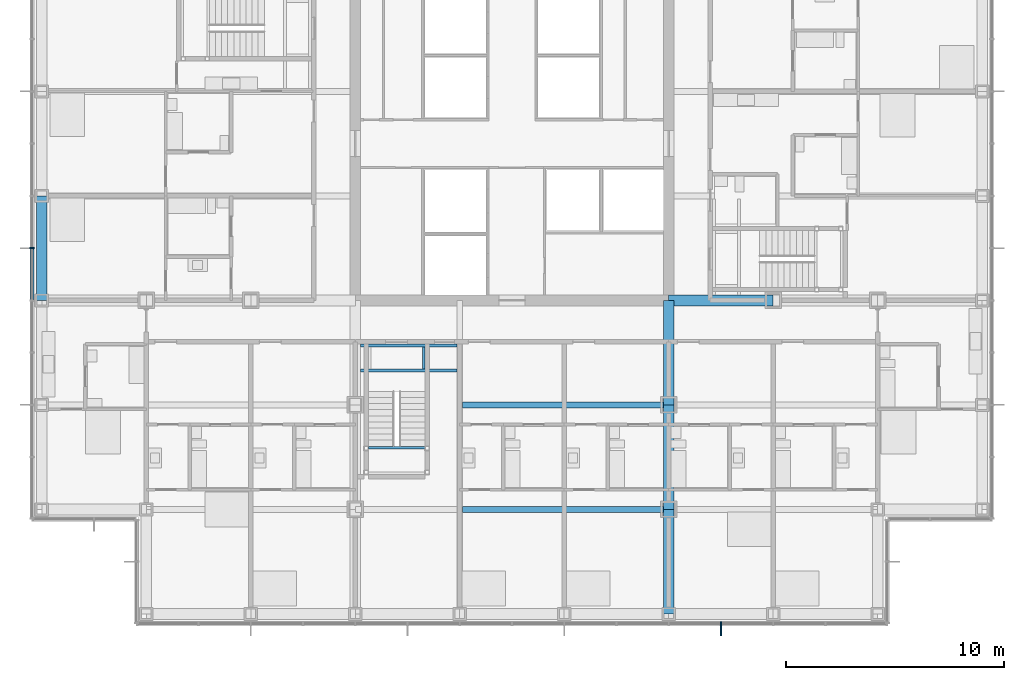
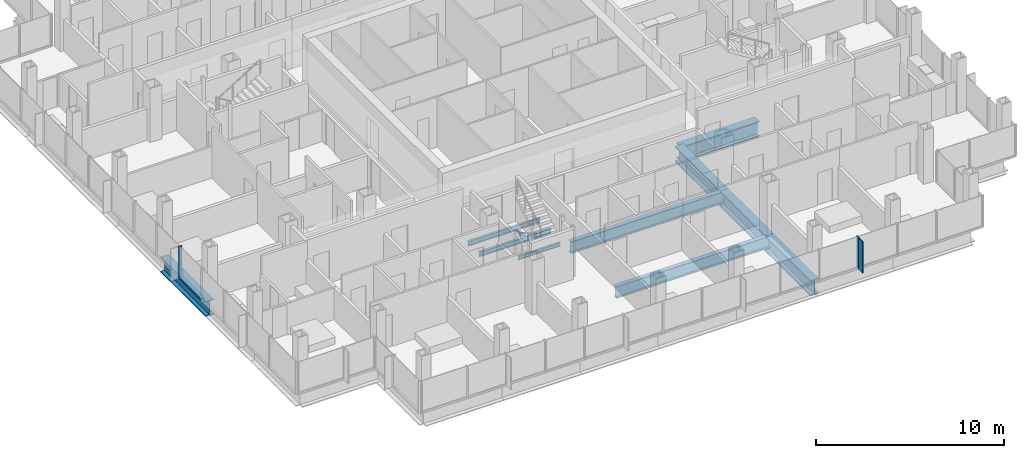
# One storey, part 7 of 22: 11 beams, 4 members, 2 elements without a shape of their own.
"""IFC4 building model written with IfcOpenShell, lengths in metres."""

from ifc_helpers import new_model, si_unit, direction, frame, origin, origin_2d, place, context, subcontext, project, spatial, rectangle, i_section, extrude, material, material_profile, profile_set, type_object, element, aggregate, save


model = new_model("IFC4")

# Units and contexts
model_context = context("Model", 3, precision=1e-05, world=origin(), true_north=direction((0.0, 1.0)))
body_context = subcontext(model_context, "Body", "Model", "MODEL_VIEW")
ifc_project = project(units=[si_unit("LENGTHUNIT", "METRE"), si_unit("AREAUNIT", "SQUARE_METRE"), si_unit("VOLUMEUNIT", "CUBIC_METRE"), si_unit("PLANEANGLEUNIT", "RADIAN"), si_unit("MASSUNIT", "GRAM", prefix="KILO")], contexts=[model_context])

# Site, building, storey
site_placement = place(None, origin())
site = spatial("IfcSite", under=ifc_project, at=site_placement, CompositionType="ELEMENT")
building_placement = place(site_placement, origin())
building = spatial("IfcBuilding", under=site, at=building_placement, Name="Kvirike Care Tower", CompositionType="ELEMENT")
storey_placement = place(building_placement, frame((0.0, 0.0, 76.0)))
storey = spatial("IfcBuildingStorey", under=building, at=storey_placement, Name="L20", CompositionType="ELEMENT", Elevation=76.0)

# Curtain wall, member
ifc_material_1 = material(Name="Anodised aluminium stick system", Category="aluminium")
curtain_wall_type = type_object("IfcCurtainWallType", Name="CW-A STICK CURTAIN WALL", PredefinedType="NOTDEFINED", material=ifc_material_1)
curtain_wall_1_placement = place(storey_placement, origin())
curtain_wall_1 = element("IfcCurtainWall", 1, at=curtain_wall_1_placement, inside=storey, type_object=curtain_wall_type, Name="Curtain wall L20 face 4", PredefinedType="NOTDEFINED")
ifc_material_2 = material(Name="Bronze anodised aluminium fin", Category="aluminium")
ifc_material_profile_1 = material_profile(ifc_material_2, rectangle(XDim=0.050048828125, YDim=0.449951171875, at=origin_2d()), Name="BRONZE FIN 450")
ifc_profile_set_1 = profile_set([ifc_material_profile_1], Name="Bronze anodised aluminium fin")
member_type_1 = type_object("IfcMemberType", Name="BRONZE FIN 450", PredefinedType="USERDEFINED", material=ifc_profile_set_1)
member_1_placement = place(storey_placement, frame((31.199951171875, 13.625, 0.0), z_axis=(0.0, 0.0, 1.0), x_axis=(1.0, 0.0, 0.0)))
member_1 = element("IfcMember", 2, at=member_1_placement, type_object=member_type_1, Name="Bronze fin L20 face 4.12", ObjectType="FIN", PredefinedType="USERDEFINED", context=body_context, shape_type="SweptSolid", body=[
    extrude(rectangle(XDim=0.050048828125, YDim=0.449951171875, at=origin_2d()), origin(), (0.0, 0.0, 1.0), 2.050048828125),
])

curtain_wall_2_placement = place(storey_placement, origin())
curtain_wall_2 = element("IfcCurtainWall", 3, at=curtain_wall_2_placement, inside=storey, type_object=curtain_wall_type, Name="Curtain wall L20 face 1", PredefinedType="NOTDEFINED")
ifc_material_3 = material(Name="Bronze anodised aluminium mullion", Category="aluminium")
ifc_material_profile_2 = material_profile(ifc_material_3, rectangle(XDim=0.06494140625, YDim=0.199951171875, at=origin_2d()), Name="CW-A MULLION 65x200")
ifc_profile_set_2 = profile_set([ifc_material_profile_2], Name="Bronze anodised aluminium mullion")
member_type_2 = type_object("IfcMemberType", Name="CW-A MULLION 65x200", PredefinedType="MULLION", material=ifc_profile_set_2)
member_2_placement = place(storey_placement, frame((-0.449951171875, 31.199951171875, 0.0), z_axis=(0.0, 0.0, 1.0), x_axis=(0.0, -1.0, 0.0)))
member_2 = element("IfcMember", 4, at=member_2_placement, type_object=member_type_2, Name="CW-A mullion L20 face 1.10", PredefinedType="MULLION", context=body_context, shape_type="SweptSolid", body=[
    extrude(rectangle(XDim=0.06494140625, YDim=0.199951171875, at=origin_2d()), origin(), (0.0, 0.0, 1.0), 2.050048828125),
])

# Member
member_3_placement = place(storey_placement, frame((31.199951171875, 13.949951171875, 0.0), z_axis=(0.0, 0.0, 1.0), x_axis=(1.0, 0.0, 0.0)))
member_3 = element("IfcMember", 5, at=member_3_placement, type_object=member_type_2, Name="CW-A mullion L20 face 4.12", PredefinedType="MULLION", context=body_context, shape_type="SweptSolid", body=[
    extrude(rectangle(XDim=0.06494140625, YDim=0.199951171875, at=origin_2d()), origin(), (0.0, 0.0, 1.0), 2.050048828125),
])

aggregate(curtain_wall_1, [member_3, member_1])

ifc_material_4 = material(Name="Bronze anodised aluminium transom", Category="aluminium")
ifc_material_profile_3 = material_profile(ifc_material_4, rectangle(XDim=0.199951171875, YDim=0.10009765625, at=origin_2d()), Name="CW-A TRANSOM 200x100")
ifc_profile_set_3 = profile_set([ifc_material_profile_3], Name="Bronze anodised aluminium transom")
member_type_3 = type_object("IfcMemberType", Name="CW-A TRANSOM 200x100", PredefinedType="USERDEFINED", material=ifc_profile_set_3)
member_4_placement = place(storey_placement, frame((-0.449951171875, 31.16748046875, 0.050048828125), z_axis=(0.0, -1.0, 0.0), x_axis=(1.0, 0.0, 0.0)))
member_4 = element("IfcMember", 6, at=member_4_placement, type_object=member_type_3, Name="CW-A sill transom L20 face 1.10", ObjectType="TRANSOM", PredefinedType="USERDEFINED", context=body_context, shape_type="SweptSolid", body=[
    extrude(rectangle(XDim=0.199951171875, YDim=0.10009765625, at=origin_2d()), origin(), (0.0, 0.0, 1.0), 2.3349609375),
])

aggregate(curtain_wall_2, [member_2, member_4])

# Beams
ifc_material_5 = material(Name="Steel S355", Category="steel")
ifc_material_profile_4 = material_profile(ifc_material_5, i_section(OverallWidth=0.26806640625, OverallDepth=0.77001953125, WebThickness=0.015625, FlangeThickness=0.025390625, FilletRadius=0.01708984375, at=origin_2d()), Name="IPE 750x196")
ifc_profile_set_4 = profile_set([ifc_material_profile_4], Name="Steel S355")
beam_type_1 = type_object("IfcBeamType", Name="FLOOR BEAM IPE 750x196", PredefinedType="BEAM", material=ifc_profile_set_4)
for number, where, z_axis, x_axis, name in (
    (7, (19.333984375, 19.199951171875, -0.554931640625), (1.0, 0.0, 0.0), (0.0, 1.0, 0.0), "Floor Beam E7-E9 L20"),
    (8, (19.333984375, 24.0, -0.554931640625), (1.0, 0.0, 0.0), (0.0, 1.0, 0.0), "Floor Beam F7-F9 L20"),
):
    element("IfcBeam", number, at=place(storey_placement, frame(where, z_axis=z_axis, x_axis=x_axis)), inside=storey, type_object=beam_type_1, Name=name, PredefinedType="BEAM", context=body_context, shape_type="SweptSolid", body=[
        extrude(i_section(OverallWidth=0.26806640625, OverallDepth=0.77001953125, WebThickness=0.015625, FlangeThickness=0.025390625, FilletRadius=0.01708984375, at=origin_2d()), origin(), (0.0, 0.0, 1.0), 9.466064453125),
    ])
ifc_material_6 = material(Name="Steel S355", Category="steel")
ifc_material_profile_5 = material_profile(ifc_material_6, i_section(OverallWidth=0.5, OverallDepth=1.0, WebThickness=0.030029296875, FlangeThickness=0.06005859375, at=origin_2d()), Name="PG 1000x500x30x60")
ifc_profile_set_5 = profile_set([ifc_material_profile_5], Name="Steel S355")
beam_type_2 = type_object("IfcBeamType", Name="FRAME BEAM PG 1000x500x30x60", PredefinedType="BEAM", material=ifc_profile_set_5)
for number, where, z_axis, x_axis, name in (
    (9, (28.800048828125, 28.800048828125, -0.669921875), (1.0, 0.0, 0.0), (0.0, 1.0, 0.0), "Frame Beam G9-G10 L20"),
    (10, (28.800048828125, 14.39990234375, -0.669921875), (0.0, 1.0, 0.0), (-1.0, 0.0, 0.0), "Frame Beam D9-E9 L20"),
    (11, (28.800048828125, 19.199951171875, -0.669921875), (0.0, 1.0, 0.0), (-1.0, 0.0, 0.0), "Frame Beam E9-F9 L20"),
    (12, (28.800048828125, 24.0, -0.669921875), (0.0, 1.0, 0.0), (-1.0, 0.0, 0.0), "Frame Beam F9-G9 L20"),
):
    element("IfcBeam", number, at=place(storey_placement, frame(where, z_axis=z_axis, x_axis=x_axis)), inside=storey, type_object=beam_type_2, Name=name, PredefinedType="BEAM", context=body_context, shape_type="SweptSolid", body=[
        extrude(i_section(OverallWidth=0.5, OverallDepth=1.0, WebThickness=0.030029296875, FlangeThickness=0.06005859375, at=origin_2d()), origin(), (0.0, 0.0, 1.0), 4.800048828125),
    ])
ifc_material_7 = material(Name="Steel S355", Category="steel")
ifc_material_profile_6 = material_profile(ifc_material_7, i_section(OverallWidth=0.5, OverallDepth=1.0, WebThickness=0.030029296875, FlangeThickness=0.06005859375, at=origin_2d()), Name="PG 1000x500x30x60")
ifc_profile_set_6 = profile_set([ifc_material_profile_6], Name="Steel S355")
beam_type_3 = type_object("IfcBeamType", Name="SPANDREL PG 1000x500x30x60", PredefinedType="SPANDREL", material=ifc_profile_set_6)
beam_1_placement = place(storey_placement, frame((0.0, 28.800048828125, -0.669921875), z_axis=(0.0, 1.0, 0.0), x_axis=(-1.0, 0.0, 0.0)))
element("IfcBeam", 13, at=beam_1_placement, inside=storey, type_object=beam_type_3, Name="Spandrel G3-H3 L20", PredefinedType="SPANDREL", context=body_context, shape_type="SweptSolid", body=[
    extrude(i_section(OverallWidth=0.5, OverallDepth=1.0, WebThickness=0.030029296875, FlangeThickness=0.06005859375, at=origin_2d()), origin(), (0.0, 0.0, 1.0), 4.800048828125),
])
ifc_material_8 = material(Name="Steel S355", Category="steel")
ifc_material_profile_7 = material_profile(ifc_material_8, i_section(OverallWidth=0.1201171875, OverallDepth=0.239990234375, WebThickness=0.006103515625, FlangeThickness=0.009765625, FilletRadius=0.014892578125, at=origin_2d()), Name="IPE 240")
ifc_profile_set_7 = profile_set([ifc_material_profile_7], Name="Steel S355")
beam_type_4 = type_object("IfcBeamType", Name="STAIR LANDING BEAM IPE 240", PredefinedType="BEAM", material=ifc_profile_set_7)
beam_2_placement = place(storey_placement, frame((15.0, 22.0400390625, 1.429931640625), z_axis=(1.0, 0.0, 0.0), x_axis=(0.0, 1.0, 0.0)))
element("IfcBeam", 14, at=beam_2_placement, inside=storey, type_object=beam_type_4, Name="Stair 5 landing beam front L20", PredefinedType="BEAM", context=body_context, shape_type="SweptSolid", body=[
    extrude(i_section(OverallWidth=0.1201171875, OverallDepth=0.239990234375, WebThickness=0.006103515625, FlangeThickness=0.009765625, FilletRadius=0.014892578125, at=origin_2d()), origin(), (0.0, 0.0, 1.0), 2.60009765625),
])
beam_3_placement = place(storey_placement, frame((17.5400390625, 25.64990234375, -0.320068359375), z_axis=(0.0, 1.0, 0.0), x_axis=(-1.0, 0.0, 0.0)))
element("IfcBeam", 15, at=beam_3_placement, inside=storey, type_object=beam_type_4, Name="Stair 5 landing edge beam 2 L20", PredefinedType="BEAM", context=body_context, shape_type="SweptSolid", body=[
    extrude(i_section(OverallWidth=0.1201171875, OverallDepth=0.239990234375, WebThickness=0.006103515625, FlangeThickness=0.009765625, FilletRadius=0.014892578125, at=origin_2d()), origin(), (0.0, 0.0, 1.0), 1.0),
])
ifc_material_9 = material(Name="Steel S355", Category="steel")
ifc_material_profile_8 = material_profile(ifc_material_9, i_section(OverallWidth=0.14990234375, OverallDepth=0.300048828125, WebThickness=0.007080078125, FlangeThickness=0.0107421875, FilletRadius=0.014892578125, at=origin_2d()), Name="IPE 300")
ifc_profile_set_8 = profile_set([ifc_material_profile_8], Name="Steel S355")
beam_type_5 = type_object("IfcBeamType", Name="STAIR TRIMMER IPE 300", PredefinedType="BEAM", material=ifc_profile_set_8)
for number, where, z_axis, x_axis, name in (
    (16, (14.64990234375, 25.574951171875, -0.35009765625), (1.0, 0.0, 0.0), (0.0, 1.0, 0.0), "Stair 5 trimmer 1 L20"),
    (17, (14.64990234375, 26.72509765625, -0.35009765625), (1.0, 0.0, 0.0), (0.0, 1.0, 0.0), "Stair 5 trimmer 2 L20"),
):
    element("IfcBeam", number, at=place(storey_placement, frame(where, z_axis=z_axis, x_axis=x_axis)), inside=storey, type_object=beam_type_5, Name=name, PredefinedType="BEAM", context=body_context, shape_type="SweptSolid", body=[
        extrude(i_section(OverallWidth=0.14990234375, OverallDepth=0.300048828125, WebThickness=0.007080078125, FlangeThickness=0.0107421875, FilletRadius=0.014892578125, at=origin_2d()), origin(), (0.0, 0.0, 1.0), 4.416015625),
    ])

save(model, "model.ifc")
